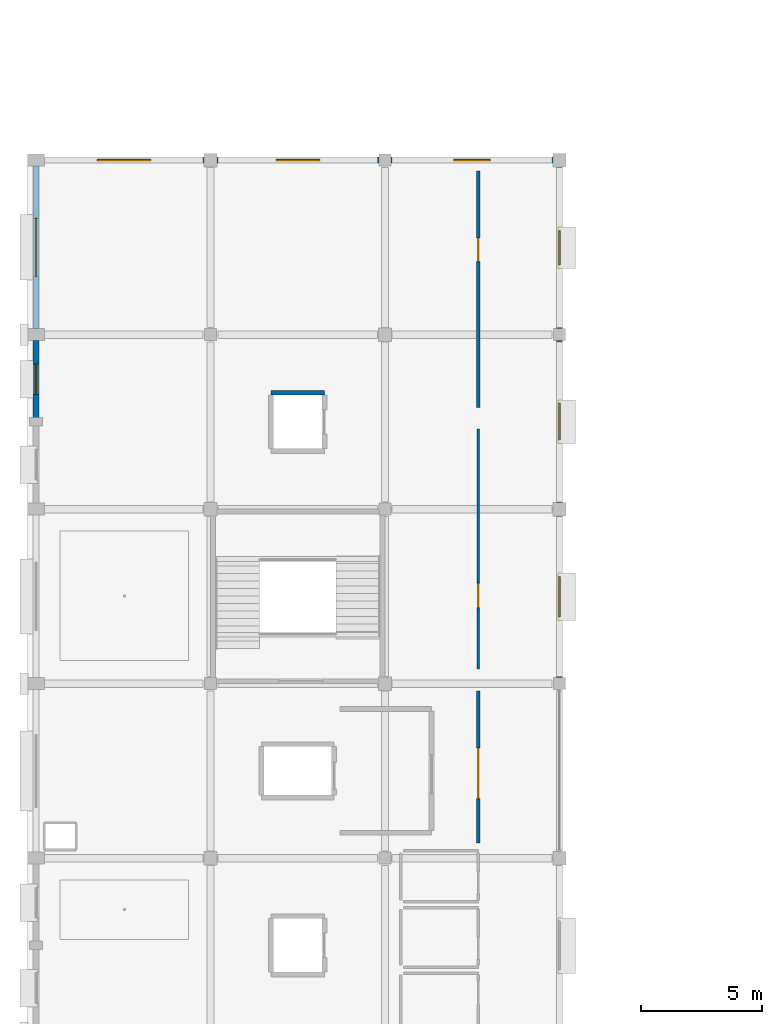
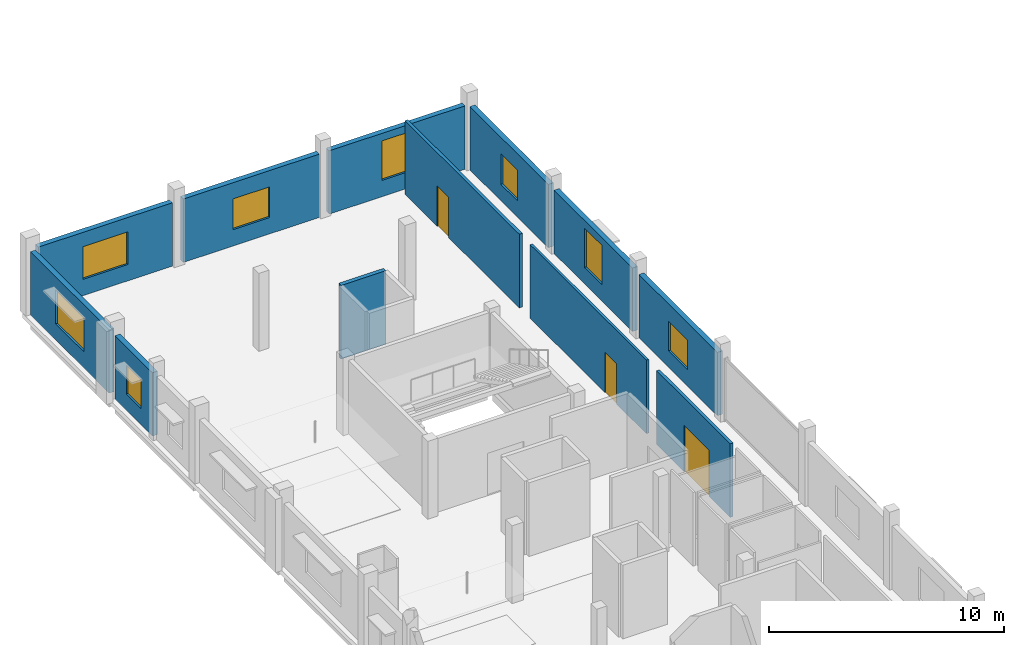
# One storey, part 9 of 15: 12 walls, 8 windows, 3 doors, 11 openings.
"""IFC4 building model written with IfcOpenShell, lengths in metres."""

from ifc_helpers import new_model, si_unit, direction, frame, frame_2d, origin, place, context, subcontext, project, spatial, rectangle, extrude, material, layer, layer_set, type_object, element, fill, save


model = new_model("IFC4")

# Units and contexts
model_context = context("Model", 3, precision=1e-05, world=origin(), true_north=direction((0.0, 1.0)))
body_context = subcontext(model_context, "Body", "Model", "MODEL_VIEW")
ifc_project = project(units=[si_unit("LENGTHUNIT", "METRE"), si_unit("AREAUNIT", "SQUARE_METRE"), si_unit("VOLUMEUNIT", "CUBIC_METRE"), si_unit("PLANEANGLEUNIT", "RADIAN"), si_unit("MASSUNIT", "GRAM", prefix="KILO")], contexts=[model_context])

# Site, building, storey
site_placement = place(None, origin())
site = spatial("IfcSite", under=ifc_project, at=site_placement, CompositionType="ELEMENT")
building_placement = place(site_placement, origin())
building = spatial("IfcBuilding", under=site, at=building_placement, Name="Kangsadwip Square Police Headquarters", CompositionType="ELEMENT")
storey_placement = place(building_placement, frame((0.0, 0.0, 29.699951171875)))
storey = spatial("IfcBuildingStorey", under=building, at=storey_placement, Name="L07", CompositionType="ELEMENT", Elevation=29.699951171875)

# Wall, opening, door
ifc_material_1 = material(Name="Fire-rated double gypsum board acoustic stud partition", Category="masonry")
ifc_layer_1 = layer(ifc_material_1, 0.1201171875)
ifc_layer_set_1 = layer_set([ifc_layer_1], Name="Fire-rated double gypsum board acoustic stud partition")
wall_type_1 = type_object("IfcWallType", Name="AcousticPartition120", PredefinedType="PARTITIONING", material=ifc_layer_set_1)
wall_1_placement = place(storey_placement, frame((18.25, 72.60009765625, 0.0), z_axis=(0.0, 0.0, 1.0), x_axis=(0.0, 1.0, 0.0)))
wall_1 = element("IfcWall", 1, at=wall_1_placement, inside=storey, type_object=wall_type_1, Name="Interior Wall WI-L07-0953", PredefinedType="PARTITIONING", context=body_context, shape_type="SweptSolid", body=[
    extrude(rectangle(XDim=9.89990234375, YDim=0.1201171875, at=frame_2d((4.949951171875, 0.0))), origin(), (0.0, 0.0, 1.0), 3.830078125),
])
opening_1_placement = place(wall_1_placement, frame((2.541015625, 0.0, 0.0)))
opening_1 = element("IfcOpeningElement", 2, at=opening_1_placement, cuts=wall_1, Name="Opening ID-10B", PredefinedType="OPENING", context=body_context, shape_type="SweptSolid", body=[
    extrude(rectangle(XDim=1.0, YDim=2.10009765625, at=frame_2d((0.5, 1.050048828125))), frame((0.0, 0.070068359375, 0.0), z_axis=(0.0, -1.0, 0.0), x_axis=(1.0, 0.0, 0.0)), (0.0, 0.0, 1.0), 0.14013671875),
])
ifc_material_2 = material(Name="Solid-core seasoned teak hardwood architectural door", Category="wood")
door_type_1 = type_object("IfcDoorType", Name="OfficeDoor1000x2100", OperationType="NOTDEFINED", PredefinedType="DOOR", material=ifc_material_2)
door_1_placement = place(opening_1_placement, origin())
door_1 = element("IfcDoor", 3, at=door_1_placement, inside=storey, type_object=door_type_1, Name="Interior Door ID-L07-0272", OperationType="SINGLE_SWING_LEFT", OverallHeight=2.10009765625, OverallWidth=1.0, PredefinedType="DOOR", context=body_context, shape_type="SweptSolid", body=[
    extrude(rectangle(XDim=1.0, YDim=2.10009765625, at=frame_2d((0.5, 1.050048828125))), frame((0.0, 0.02490234375, 0.0), z_axis=(0.0, -1.0, 0.0), x_axis=(1.0, 0.0, 0.0)), (0.0, 0.0, 1.0), 0.050048828125),
])
fill(opening_1, door_1)

ifc_material_3 = material(Name="Autoclaved aerated concrete blockwork masonry", Category="masonry")
ifc_layer_2 = layer(ifc_material_3, 0.14990234375)
ifc_layer_set_2 = layer_set([ifc_layer_2], Name="Autoclaved aerated concrete blockwork masonry")
wall_type_2 = type_object("IfcWallType", Name="BlockPartition150", PredefinedType="PARTITIONING", material=ifc_layer_set_2)
wall_2_placement = place(storey_placement, frame((18.25, 65.429931640625, 0.0), z_axis=(0.0, 0.0, 1.0), x_axis=(0.0, 1.0, 0.0)))
wall_2 = element("IfcWall", 4, at=wall_2_placement, inside=storey, type_object=wall_type_2, Name="Interior Wall WI-L07-0952", PredefinedType="PARTITIONING", context=body_context, shape_type="SweptSolid", body=[
    extrude(rectangle(XDim=6.27001953125, YDim=0.14990234375, at=frame_2d((3.135009765625, 0.0))), origin(), (0.0, 0.0, 1.0), 3.830078125),
])
opening_2_placement = place(wall_2_placement, frame((1.822998046875, 0.0, 0.0)))
opening_2 = element("IfcOpeningElement", 5, at=opening_2_placement, cuts=wall_2, Name="Opening ID-21", PredefinedType="OPENING", context=body_context, shape_type="SweptSolid", body=[
    extrude(rectangle(XDim=2.10009765625, YDim=2.39990234375, at=frame_2d((1.050048828125, 1.199951171875))), frame((0.0, 0.0849609375, 0.0), z_axis=(0.0, -1.0, 0.0), x_axis=(1.0, 0.0, 0.0)), (0.0, 0.0, 1.0), 0.169921875),
])
ifc_material_4 = material(Name="Solid-core seasoned teak hardwood architectural door", Category="wood")
door_type_2 = type_object("IfcDoorType", Name="HallDoubleDoor2100x2400", OperationType="DOUBLE_DOOR_SINGLE_SWING", PredefinedType="DOOR", material=ifc_material_4)
door_2_placement = place(opening_2_placement, origin())
door_2 = element("IfcDoor", 6, at=door_2_placement, inside=storey, type_object=door_type_2, Name="Interior Door ID-L07-0271", OperationType="DOUBLE_DOOR_SINGLE_SWING", OverallHeight=2.39990234375, OverallWidth=2.10009765625, PredefinedType="DOOR", context=body_context, shape_type="SweptSolid", body=[
    extrude(rectangle(XDim=2.10009765625, YDim=2.39990234375, at=frame_2d((1.050048828125, 1.199951171875))), frame((0.0, 0.02490234375, 0.0), z_axis=(0.0, -1.0, 0.0), x_axis=(1.0, 0.0, 0.0)), (0.0, 0.0, 1.0), 0.050048828125),
])
fill(opening_2, door_2)

wall_3_placement = place(storey_placement, frame((18.25, 83.39990234375, 0.0), z_axis=(0.0, 0.0, 1.0), x_axis=(0.0, 1.0, 0.0)))
wall_3 = element("IfcWall", 7, at=wall_3_placement, inside=storey, type_object=wall_type_2, Name="Interior Wall WI-L07-0954", PredefinedType="PARTITIONING", context=body_context, shape_type="SweptSolid", body=[
    extrude(rectangle(XDim=9.75, YDim=0.14990234375, at=frame_2d((4.875, 0.0))), origin(), (0.0, 0.0, 1.0), 3.830078125),
])
opening_3_placement = place(wall_3_placement, frame((6.013916015625, 0.0, 0.0)))
opening_3 = element("IfcOpeningElement", 8, at=opening_3_placement, cuts=wall_3, Name="Opening ID-09A", PredefinedType="OPENING", context=body_context, shape_type="SweptSolid", body=[
    extrude(rectangle(XDim=0.97998046875, YDim=2.10009765625, at=frame_2d((0.489990234375, 1.050048828125))), frame((0.0, 0.0849609375, 0.0), z_axis=(0.0, -1.0, 0.0), x_axis=(1.0, 0.0, 0.0)), (0.0, 0.0, 1.0), 0.169921875),
])
ifc_material_5 = material(Name="Solid-core seasoned teak hardwood architectural door", Category="wood")
door_type_3 = type_object("IfcDoorType", Name="OfficeDoor980x2100", OperationType="NOTDEFINED", PredefinedType="DOOR", material=ifc_material_5)
door_3_placement = place(opening_3_placement, origin())
door_3 = element("IfcDoor", 9, at=door_3_placement, inside=storey, type_object=door_type_3, Name="Interior Door ID-L07-0273", OperationType="SINGLE_SWING_RIGHT", OverallHeight=2.10009765625, OverallWidth=0.97998046875, PredefinedType="DOOR", context=body_context, shape_type="SweptSolid", body=[
    extrude(rectangle(XDim=0.97998046875, YDim=2.10009765625, at=frame_2d((0.489990234375, 1.050048828125))), frame((0.0, 0.02490234375, 0.0), z_axis=(0.0, -1.0, 0.0), x_axis=(1.0, 0.0, 0.0)), (0.0, 0.0, 1.0), 0.050048828125),
])
fill(opening_3, door_3)

# Wall, opening, window
ifc_material_6 = material(Name="Glazed architectural terracotta masonry rainscreen", Category="masonry")
ifc_layer_3 = layer(ifc_material_6, 0.25)
ifc_layer_set_3 = layer_set([ifc_layer_3], Name="Glazed architectural terracotta masonry rainscreen")
wall_type_3 = type_object("IfcWallType", Name="ChicagoTerracottaWall250", PredefinedType="SOLIDWALL", material=ifc_layer_set_3)
wall_4_placement = place(storey_placement, frame((0.344970703125, 93.60009765625, 0.0), z_axis=(0.0, 0.0, 1.0), x_axis=(1.0, 0.0, 0.0)))
wall_4 = element("IfcWall", 10, at=wall_4_placement, inside=storey, type_object=wall_type_3, Name="Exterior Wall WE-L07-584", PredefinedType="SOLIDWALL", context=body_context, shape_type="SweptSolid", body=[
    extrude(rectangle(XDim=6.5849609375, YDim=0.25, at=frame_2d((3.29248046875, 0.0))), origin(), (0.0, 0.0, 1.0), 3.295166015625),
])
opening_4_placement = place(wall_4_placement, frame((2.1923828125, 0.0, 0.85009765625)))
opening_4 = element("IfcOpeningElement", 11, at=opening_4_placement, cuts=wall_4, Name="Opening WN-08", PredefinedType="OPENING", context=body_context, shape_type="SweptSolid", body=[
    extrude(rectangle(XDim=2.199951171875, YDim=1.699951171875, at=frame_2d((1.10009765625, 0.85009765625))), frame((0.0, 0.135009765625, 0.0), z_axis=(0.0, -1.0, 0.0), x_axis=(1.0, 0.0, 0.0)), (0.0, 0.0, 1.0), 0.27001953125),
])
ifc_material_7 = material(Name="Double-glazed solar-control low-E safety glass", Category="glass")
window_type_1 = type_object("IfcWindowType", Name="ChicagoDoubleMullWin2200x1700", PartitioningType="DOUBLE_PANEL_VERTICAL", PredefinedType="WINDOW", material=ifc_material_7)
window_1_placement = place(opening_4_placement, origin())
window_1 = element("IfcWindow", 12, at=window_1_placement, inside=storey, type_object=window_type_1, Name="Window WN-L07-0433", OverallHeight=1.699951171875, OverallWidth=2.199951171875, PartitioningType="SINGLE_PANEL", PredefinedType="WINDOW", context=body_context, shape_type="SweptSolid", body=[
    extrude(rectangle(XDim=2.199951171875, YDim=1.699951171875, at=frame_2d((1.10009765625, 0.85009765625))), frame((0.0, 0.030029296875, 0.0), z_axis=(0.0, -1.0, 0.0), x_axis=(1.0, 0.0, 0.0)), (0.0, 0.0, 1.0), 0.06005859375),
])
fill(opening_4, window_1)

wall_5_placement = place(storey_placement, frame((7.469970703125, 93.60009765625, 0.0), z_axis=(0.0, 0.0, 1.0), x_axis=(1.0, 0.0, 0.0)))
wall_5 = element("IfcWall", 13, at=wall_5_placement, inside=storey, type_object=wall_type_3, Name="Exterior Wall WE-L07-585", PredefinedType="SOLIDWALL", context=body_context, shape_type="SweptSolid", body=[
    extrude(rectangle(XDim=6.68505859375, YDim=0.25, at=frame_2d((3.342529296875, 0.0))), origin(), (0.0, 0.0, 1.0), 3.295166015625),
])
opening_5_placement = place(wall_5_placement, frame((2.4423828125, 0.0, 0.85009765625)))
opening_5 = element("IfcOpeningElement", 14, at=opening_5_placement, cuts=wall_5, Name="Opening WN-10", PredefinedType="OPENING", context=body_context, shape_type="SweptSolid", body=[
    extrude(rectangle(XDim=1.800048828125, YDim=1.60009765625, at=frame_2d((0.89990234375, 0.800048828125))), frame((0.0, 0.135009765625, 0.0), z_axis=(0.0, -1.0, 0.0), x_axis=(1.0, 0.0, 0.0)), (0.0, 0.0, 1.0), 0.27001953125),
])
ifc_material_8 = material(Name="Double-glazed solar-control low-E safety glass", Category="glass")
window_type_2 = type_object("IfcWindowType", Name="LabCleanViewWin1800x1600", PartitioningType="DOUBLE_PANEL_VERTICAL", PredefinedType="WINDOW", material=ifc_material_8)
window_2_placement = place(opening_5_placement, origin())
window_2 = element("IfcWindow", 15, at=window_2_placement, inside=storey, type_object=window_type_2, Name="Window WN-L07-0434", OverallHeight=1.60009765625, OverallWidth=1.800048828125, PartitioningType="SINGLE_PANEL", PredefinedType="WINDOW", context=body_context, shape_type="SweptSolid", body=[
    extrude(rectangle(XDim=1.800048828125, YDim=1.60009765625, at=frame_2d((0.89990234375, 0.800048828125))), frame((0.0, 0.030029296875, 0.0), z_axis=(0.0, -1.0, 0.0), x_axis=(1.0, 0.0, 0.0)), (0.0, 0.0, 1.0), 0.06005859375),
])
fill(opening_5, window_2)

wall_6_placement = place(storey_placement, frame((14.64501953125, 93.60009765625, 0.0), z_axis=(0.0, 0.0, 1.0), x_axis=(1.0, 0.0, 0.0)))
wall_6 = element("IfcWall", 16, at=wall_6_placement, inside=storey, type_object=wall_type_3, Name="Exterior Wall WE-L07-586", PredefinedType="SOLIDWALL", context=body_context, shape_type="SweptSolid", body=[
    extrude(rectangle(XDim=6.68505859375, YDim=0.25, at=frame_2d((3.342529296875, 0.0))), origin(), (0.0, 0.0, 1.0), 3.295166015625),
])
opening_6_placement = place(wall_6_placement, frame((2.592529296875, 0.0, 0.85009765625)))
opening_6 = element("IfcOpeningElement", 17, at=opening_6_placement, cuts=wall_6, Name="Opening WN-12", PredefinedType="OPENING", context=body_context, shape_type="SweptSolid", body=[
    extrude(rectangle(XDim=1.5, YDim=2.050048828125, at=frame_2d((0.75, 1.02490234375))), frame((0.0, 0.135009765625, 0.0), z_axis=(0.0, -1.0, 0.0), x_axis=(1.0, 0.0, 0.0)), (0.0, 0.0, 1.0), 0.27001953125),
])
ifc_material_9 = material(Name="Double-glazed solar-control low-E safety glass", Category="glass")
window_type_3 = type_object("IfcWindowType", Name="DirectorateTallWin1500x2050", PartitioningType="SINGLE_PANEL", PredefinedType="WINDOW", material=ifc_material_9)
window_3_placement = place(opening_6_placement, origin())
window_3 = element("IfcWindow", 18, at=window_3_placement, inside=storey, type_object=window_type_3, Name="Window WN-L07-0435", OverallHeight=2.050048828125, OverallWidth=1.5, PartitioningType="SINGLE_PANEL", PredefinedType="WINDOW", context=body_context, shape_type="SweptSolid", body=[
    extrude(rectangle(XDim=1.5, YDim=2.050048828125, at=frame_2d((0.75, 1.02490234375))), frame((0.0, 0.030029296875, 0.0), z_axis=(0.0, -1.0, 0.0), x_axis=(1.0, 0.0, 0.0)), (0.0, 0.0, 1.0), 0.06005859375),
])
fill(opening_6, window_3)

wall_7_placement = place(storey_placement, frame((0.0, 82.969970703125, 0.0), z_axis=(0.0, 0.0, 1.0), x_axis=(0.0, 1.0, 0.0)))
wall_7 = element("IfcWall", 19, at=wall_7_placement, inside=storey, type_object=wall_type_3, Name="Exterior Wall WE-L07-596", PredefinedType="SOLIDWALL", context=body_context, shape_type="SweptSolid", body=[
    extrude(rectangle(XDim=3.18505859375, YDim=0.25, at=frame_2d((1.592529296875, 0.0))), origin(), (0.0, 0.0, 1.0), 3.295166015625),
])
opening_7_placement = place(wall_7_placement, frame((0.967529296875, 0.0, 0.85009765625)))
opening_7 = element("IfcOpeningElement", 20, at=opening_7_placement, cuts=wall_7, Name="Opening WN-14", PredefinedType="OPENING", context=body_context, shape_type="SweptSolid", body=[
    extrude(rectangle(XDim=1.25, YDim=1.5, at=frame_2d((0.625, 0.75))), frame((0.0, 0.135009765625, 0.0), z_axis=(0.0, -1.0, 0.0), x_axis=(1.0, 0.0, 0.0)), (0.0, 0.0, 1.0), 0.27001953125),
])
ifc_material_10 = material(Name="Double-glazed solar-control low-E safety glass", Category="glass")
window_type_4 = type_object("IfcWindowType", Name="OfficeCasementWin1250x1500", PartitioningType="SINGLE_PANEL", PredefinedType="WINDOW", material=ifc_material_10)
window_4_placement = place(opening_7_placement, origin())
window_4 = element("IfcWindow", 21, at=window_4_placement, inside=storey, type_object=window_type_4, Name="Window WN-L07-0445", OverallHeight=1.5, OverallWidth=1.25, PartitioningType="SINGLE_PANEL", PredefinedType="WINDOW", context=body_context, shape_type="SweptSolid", body=[
    extrude(rectangle(XDim=1.25, YDim=1.5, at=frame_2d((0.625, 0.75))), frame((0.0, 0.030029296875, 0.0), z_axis=(0.0, -1.0, 0.0), x_axis=(1.0, 0.0, 0.0)), (0.0, 0.0, 1.0), 0.06005859375),
])
fill(opening_7, window_4)

wall_8_placement = place(storey_placement, frame((0.0, 86.64501953125, 0.0), z_axis=(0.0, 0.0, 1.0), x_axis=(0.0, 1.0, 0.0)))
wall_8 = element("IfcWall", 22, at=wall_8_placement, inside=storey, type_object=wall_type_3, Name="Exterior Wall WE-L07-597", PredefinedType="SOLIDWALL", context=body_context, shape_type="SweptSolid", body=[
    extrude(rectangle(XDim=6.7099609375, YDim=0.25, at=frame_2d((3.35498046875, 0.0))), origin(), (0.0, 0.0, 1.0), 3.295166015625),
])
opening_8_placement = place(wall_8_placement, frame((2.155029296875, 0.0, 0.85009765625)))
opening_8 = element("IfcOpeningElement", 23, at=opening_8_placement, cuts=wall_8, Name="Opening WN-07", PredefinedType="OPENING", context=body_context, shape_type="SweptSolid", body=[
    extrude(rectangle(XDim=2.39990234375, YDim=1.75, at=frame_2d((1.199951171875, 0.875))), frame((0.0, 0.135009765625, 0.0), z_axis=(0.0, -1.0, 0.0), x_axis=(1.0, 0.0, 0.0)), (0.0, 0.0, 1.0), 0.27001953125),
])
ifc_material_11 = material(Name="Double-glazed solar-control low-E safety glass", Category="glass")
window_type_5 = type_object("IfcWindowType", Name="ChicagoDoubleMullWin2400x1750", PartitioningType="DOUBLE_PANEL_VERTICAL", PredefinedType="WINDOW", material=ifc_material_11)
window_5_placement = place(opening_8_placement, origin())
window_5 = element("IfcWindow", 24, at=window_5_placement, inside=storey, type_object=window_type_5, Name="Window WN-L07-0446", OverallHeight=1.75, OverallWidth=2.39990234375, PartitioningType="SINGLE_PANEL", PredefinedType="WINDOW", context=body_context, shape_type="SweptSolid", body=[
    extrude(rectangle(XDim=2.39990234375, YDim=1.75, at=frame_2d((1.199951171875, 0.875))), frame((0.0, 0.030029296875, 0.0), z_axis=(0.0, -1.0, 0.0), x_axis=(1.0, 0.0, 0.0)), (0.0, 0.0, 1.0), 0.06005859375),
])
fill(opening_8, window_5)

wall_9_placement = place(storey_placement, frame((21.60009765625, 72.2451171875, 0.0), z_axis=(0.0, 0.0, 1.0), x_axis=(0.0, 1.0, 0.0)))
wall_9 = element("IfcWall", 25, at=wall_9_placement, inside=storey, type_object=wall_type_3, Name="Exterior Wall WE-L07-601", PredefinedType="SOLIDWALL", context=body_context, shape_type="SweptSolid", body=[
    extrude(rectangle(XDim=6.684814453125, YDim=0.25, at=frame_2d((3.34228515625, 0.0))), origin(), (0.0, 0.0, 1.0), 3.295166015625),
])
opening_9_placement = place(wall_9_placement, frame((2.517578125, 0.0, 0.85009765625)))
opening_9 = element("IfcOpeningElement", 26, at=opening_9_placement, cuts=wall_9, Name="Opening WN-11", PredefinedType="OPENING", context=body_context, shape_type="SweptSolid", body=[
    extrude(rectangle(XDim=1.64990234375, YDim=1.550048828125, at=frame_2d((0.824951171875, 0.77490234375))), frame((0.0, 0.135009765625, 0.0), z_axis=(0.0, -1.0, 0.0), x_axis=(1.0, 0.0, 0.0)), (0.0, 0.0, 1.0), 0.27001953125),
])
ifc_material_12 = material(Name="Double-glazed solar-control low-E safety glass", Category="glass")
window_type_6 = type_object("IfcWindowType", Name="LabCleanViewWin1650x1550", PartitioningType="SINGLE_PANEL", PredefinedType="WINDOW", material=ifc_material_12)
window_6_placement = place(opening_9_placement, origin())
window_6 = element("IfcWindow", 27, at=window_6_placement, inside=storey, type_object=window_type_6, Name="Window WN-L07-0450", OverallHeight=1.550048828125, OverallWidth=1.64990234375, PartitioningType="SINGLE_PANEL", PredefinedType="WINDOW", context=body_context, shape_type="SweptSolid", body=[
    extrude(rectangle(XDim=1.64990234375, YDim=1.550048828125, at=frame_2d((0.824951171875, 0.77490234375))), frame((0.0, 0.030029296875, 0.0), z_axis=(0.0, -1.0, 0.0), x_axis=(1.0, 0.0, 0.0)), (0.0, 0.0, 1.0), 0.06005859375),
])
fill(opening_9, window_6)

wall_10_placement = place(storey_placement, frame((21.60009765625, 79.469970703125, 0.0), z_axis=(0.0, 0.0, 1.0), x_axis=(0.0, 1.0, 0.0)))
wall_10 = element("IfcWall", 28, at=wall_10_placement, inside=storey, type_object=wall_type_3, Name="Exterior Wall WE-L07-602", PredefinedType="SOLIDWALL", context=body_context, shape_type="SweptSolid", body=[
    extrude(rectangle(XDim=6.68505859375, YDim=0.25, at=frame_2d((3.342529296875, 0.0))), origin(), (0.0, 0.0, 1.0), 3.295166015625),
])
opening_10_placement = place(wall_10_placement, frame((2.592529296875, 0.0, 0.85009765625)))
opening_10 = element("IfcOpeningElement", 29, at=opening_10_placement, cuts=wall_10, Name="Opening WN-12", PredefinedType="OPENING", context=body_context, shape_type="SweptSolid", body=[
    extrude(rectangle(XDim=1.5, YDim=2.050048828125, at=frame_2d((0.75, 1.02490234375))), frame((0.0, 0.135009765625, 0.0), z_axis=(0.0, -1.0, 0.0), x_axis=(1.0, 0.0, 0.0)), (0.0, 0.0, 1.0), 0.27001953125),
])
window_7_placement = place(opening_10_placement, origin())
window_7 = element("IfcWindow", 30, at=window_7_placement, inside=storey, type_object=window_type_3, Name="Window WN-L07-0451", OverallHeight=2.050048828125, OverallWidth=1.5, PartitioningType="SINGLE_PANEL", PredefinedType="WINDOW", context=body_context, shape_type="SweptSolid", body=[
    extrude(rectangle(XDim=1.5, YDim=2.050048828125, at=frame_2d((0.75, 1.02490234375))), frame((0.0, 0.030029296875, 0.0), z_axis=(0.0, -1.0, 0.0), x_axis=(1.0, 0.0, 0.0)), (0.0, 0.0, 1.0), 0.06005859375),
])
fill(opening_10, window_7)

wall_11_placement = place(storey_placement, frame((21.60009765625, 86.64501953125, 0.0), z_axis=(0.0, 0.0, 1.0), x_axis=(0.0, 1.0, 0.0)))
wall_11 = element("IfcWall", 31, at=wall_11_placement, inside=storey, type_object=wall_type_3, Name="Exterior Wall WE-L07-603", PredefinedType="SOLIDWALL", context=body_context, shape_type="SweptSolid", body=[
    extrude(rectangle(XDim=6.68505859375, YDim=0.25, at=frame_2d((3.342529296875, 0.0))), origin(), (0.0, 0.0, 1.0), 3.295166015625),
])
opening_11_placement = place(wall_11_placement, frame((2.642578125, 0.0, 0.85009765625)))
opening_11 = element("IfcOpeningElement", 32, at=opening_11_placement, cuts=wall_11, Name="Opening WN-13", PredefinedType="OPENING", context=body_context, shape_type="SweptSolid", body=[
    extrude(rectangle(XDim=1.39990234375, YDim=1.60009765625, at=frame_2d((0.699951171875, 0.800048828125))), frame((0.0, 0.135009765625, 0.0), z_axis=(0.0, -1.0, 0.0), x_axis=(1.0, 0.0, 0.0)), (0.0, 0.0, 1.0), 0.27001953125),
])
ifc_material_13 = material(Name="Double-glazed solar-control low-E safety glass", Category="glass")
window_type_7 = type_object("IfcWindowType", Name="OfficeCasementWin1400x1600", PartitioningType="SINGLE_PANEL", PredefinedType="WINDOW", material=ifc_material_13)
window_8_placement = place(opening_11_placement, origin())
window_8 = element("IfcWindow", 33, at=window_8_placement, inside=storey, type_object=window_type_7, Name="Window WN-L07-0452", OverallHeight=1.60009765625, OverallWidth=1.39990234375, PartitioningType="SINGLE_PANEL", PredefinedType="WINDOW", context=body_context, shape_type="SweptSolid", body=[
    extrude(rectangle(XDim=1.39990234375, YDim=1.60009765625, at=frame_2d((0.699951171875, 0.800048828125))), frame((0.0, 0.030029296875, 0.0), z_axis=(0.0, -1.0, 0.0), x_axis=(1.0, 0.0, 0.0)), (0.0, 0.0, 1.0), 0.06005859375),
])
fill(opening_11, window_8)

# Wall
ifc_material_14 = material(Name="Concrete M40 (40 MPa)", Category="concrete")
ifc_layer_4 = layer(ifc_material_14, 0.199951171875)
ifc_layer_set_4 = layer_set([ifc_layer_4], Name="Concrete M40 (40 MPa)")
wall_type_4 = type_object("IfcWallType", Name="CoreShearWall200", PredefinedType="SHEAR", material=ifc_layer_set_4)
wall_12_placement = place(storey_placement, frame((9.699951171875, 84.0, 0.0), z_axis=(0.0, 0.0, 1.0), x_axis=(1.0, 0.0, 0.0)))
element("IfcWall", 34, at=wall_12_placement, inside=storey, type_object=wall_type_4, Name="Interior Wall WI-L07-0420", PredefinedType="SHEAR", context=body_context, shape_type="SweptSolid", body=[
    extrude(rectangle(XDim=2.199951171875, YDim=0.199951171875, at=frame_2d((1.10009765625, 0.0))), origin(), (0.0, 0.0, 1.0), 3.830078125),
])

save(model, "model.ifc")
